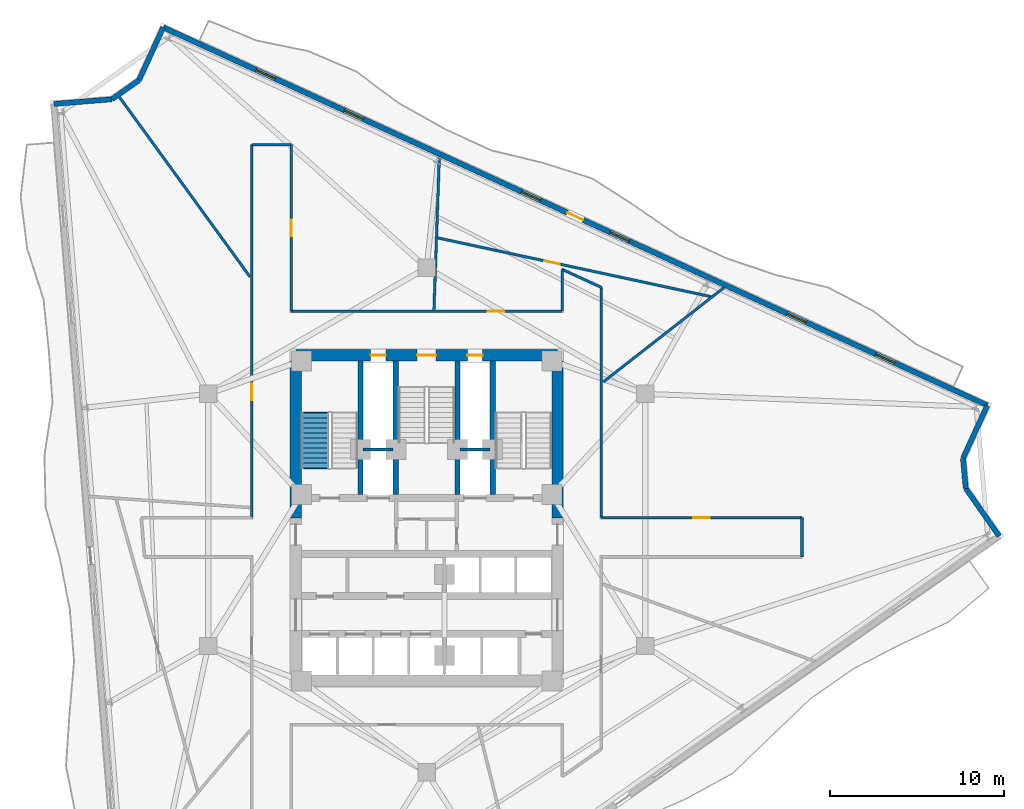
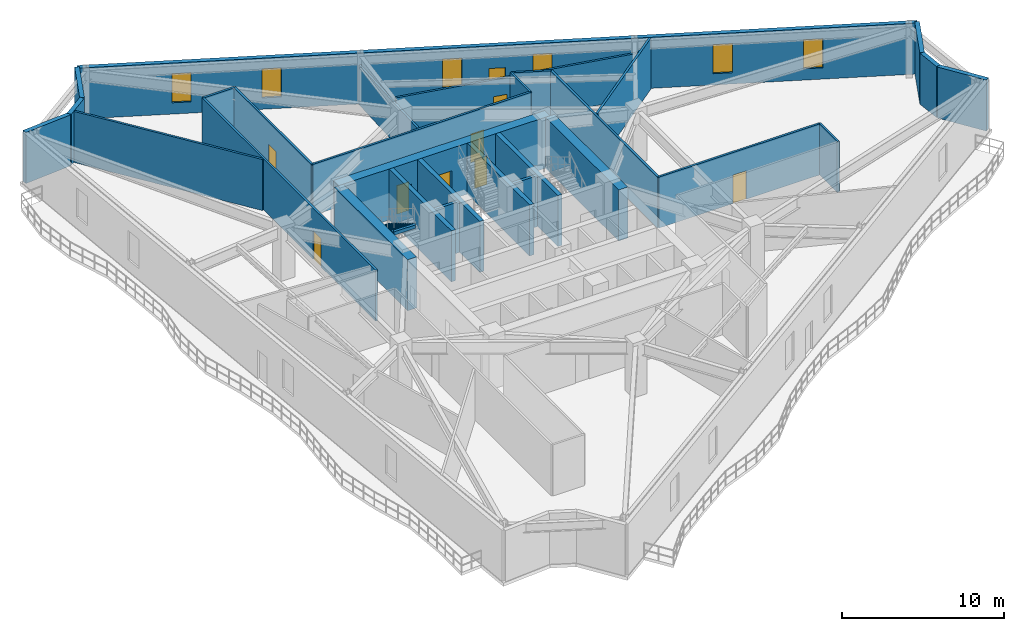
# One storey, part 6 of 11: 29 walls, 9 doors, 6 windows, 1 stair flight, 15 openings, 1 element without a shape of its own.
"""IFC4 building model written with IfcOpenShell, lengths in metres."""

from ifc_helpers import new_model, si_unit, direction, frame, frame_2d, origin, place, context, subcontext, project, spatial, polyline, rectangle, outline, extrude, material, layer, layer_set, type_object, element, fill, aggregate, save


model = new_model("IFC4")

# Units and contexts
model_context = context("Model", 3, precision=1e-05, world=origin(), true_north=direction((0.0, 1.0)))
body_context = subcontext(model_context, "Body", "Model", "MODEL_VIEW")
ifc_project = project(units=[si_unit("LENGTHUNIT", "METRE"), si_unit("AREAUNIT", "SQUARE_METRE"), si_unit("VOLUMEUNIT", "CUBIC_METRE"), si_unit("PLANEANGLEUNIT", "RADIAN"), si_unit("MASSUNIT", "GRAM", prefix="KILO")], contexts=[model_context])

# Site, building, storey
site_placement = place(None, origin())
site = spatial("IfcSite", under=ifc_project, at=site_placement, CompositionType="ELEMENT")
building_placement = place(site_placement, origin())
building = spatial("IfcBuilding", under=site, at=building_placement, Name="Apsidion Concourse Tower", CompositionType="ELEMENT")
storey_placement = place(building_placement, frame((0.0, 0.0, 206.5)))
storey = spatial("IfcBuildingStorey", under=building, at=storey_placement, Name="L48", CompositionType="ELEMENT", Elevation=206.5)

# Wall, openings, door, windows
ifc_material_1 = material(Name="Precast concrete C40/50", Category="concrete")
ifc_layer_1 = layer(ifc_material_1, 0.300048828125)
ifc_layer_set_1 = layer_set([ifc_layer_1], Name="Precast concrete C40/50")
wall_type_1 = type_object("IfcWallType", Name="WL-EXT-300", PredefinedType="STANDARD", material=ifc_layer_set_1)
wall_1_placement = place(storey_placement, frame((-15.1435546875, 28.32177734375, 0.0), z_axis=(0.0, 0.0, 1.0), x_axis=(0.908932099953, -0.416944166136, 0.0)))
wall_1 = element("IfcWall", 1, at=wall_1_placement, inside=storey, type_object=wall_type_1, Name="L48 Precast Stone Facade Wall 01", PredefinedType="STANDARD", context=body_context, shape_type="SweptSolid", body=[
    extrude(rectangle(XDim=52.127685546875, YDim=0.300048828125, at=frame_2d((26.06396484375, 0.0))), origin(), (0.0, 0.0, 1.0), 3.85009765625),
])
opening_1_placement = place(wall_1_placement, frame((25.56396484375, 0.0, 0.0)))
opening_1 = element("IfcOpeningElement", 2, at=opening_1_placement, cuts=wall_1, Name="Opening D-T1L", PredefinedType="OPENING", context=body_context, shape_type="SweptSolid", body=[
    extrude(rectangle(XDim=1.0, YDim=2.14990234375, at=frame_2d((0.5, 1.074951171875))), frame((0.0, 0.16015625, 0.0), z_axis=(0.0, -1.0, 0.0), x_axis=(1.0, 0.0, 0.0)), (0.0, 0.0, 1.0), 0.320068359375),
])
opening_2_placement = place(wall_1_placement, frame((5.864013671875, 0.0, 0.85009765625)))
opening_2 = element("IfcOpeningElement", 3, at=opening_2_placement, cuts=wall_1, Name="Opening WN-06", PredefinedType="OPENING", context=body_context, shape_type="SweptSolid", body=[
    extrude(rectangle(XDim=1.199951171875, YDim=2.199951171875, at=frame_2d((0.60009765625, 1.10009765625))), frame((0.0, 0.16015625, 0.0), z_axis=(0.0, -1.0, 0.0), x_axis=(1.0, 0.0, 0.0)), (0.0, 0.0, 1.0), 0.320068359375),
])
opening_3_placement = place(wall_1_placement, frame((11.4638671875, 0.0, 0.85009765625)))
opening_3 = element("IfcOpeningElement", 4, at=opening_3_placement, cuts=wall_1, Name="Opening WN-06", PredefinedType="OPENING", context=body_context, shape_type="SweptSolid", body=[
    extrude(rectangle(XDim=1.199951171875, YDim=2.199951171875, at=frame_2d((0.60009765625, 1.10009765625))), frame((0.0, 0.16015625, 0.0), z_axis=(0.0, -1.0, 0.0), x_axis=(1.0, 0.0, 0.0)), (0.0, 0.0, 1.0), 0.320068359375),
])
opening_4_placement = place(wall_1_placement, frame((22.663818359375, 0.0, 0.85009765625)))
opening_4 = element("IfcOpeningElement", 5, at=opening_4_placement, cuts=wall_1, Name="Opening WN-06", PredefinedType="OPENING", context=body_context, shape_type="SweptSolid", body=[
    extrude(rectangle(XDim=1.199951171875, YDim=2.199951171875, at=frame_2d((0.60009765625, 1.10009765625))), frame((0.0, 0.16015625, 0.0), z_axis=(0.0, -1.0, 0.0), x_axis=(1.0, 0.0, 0.0)), (0.0, 0.0, 1.0), 0.320068359375),
])
opening_5_placement = place(wall_1_placement, frame((28.263916015625, 0.0, 0.85009765625)))
opening_5 = element("IfcOpeningElement", 6, at=opening_5_placement, cuts=wall_1, Name="Opening WN-06", PredefinedType="OPENING", context=body_context, shape_type="SweptSolid", body=[
    extrude(rectangle(XDim=1.199951171875, YDim=2.199951171875, at=frame_2d((0.60009765625, 1.10009765625))), frame((0.0, 0.16015625, 0.0), z_axis=(0.0, -1.0, 0.0), x_axis=(1.0, 0.0, 0.0)), (0.0, 0.0, 1.0), 0.320068359375),
])
opening_6_placement = place(wall_1_placement, frame((39.4638671875, 0.0, 0.85009765625)))
opening_6 = element("IfcOpeningElement", 7, at=opening_6_placement, cuts=wall_1, Name="Opening WN-06", PredefinedType="OPENING", context=body_context, shape_type="SweptSolid", body=[
    extrude(rectangle(XDim=1.199951171875, YDim=2.199951171875, at=frame_2d((0.60009765625, 1.10009765625))), frame((0.0, 0.16015625, 0.0), z_axis=(0.0, -1.0, 0.0), x_axis=(1.0, 0.0, 0.0)), (0.0, 0.0, 1.0), 0.320068359375),
])
opening_7_placement = place(wall_1_placement, frame((45.06396484375, 0.0, 0.85009765625)))
opening_7 = element("IfcOpeningElement", 8, at=opening_7_placement, cuts=wall_1, Name="Opening WN-06", PredefinedType="OPENING", context=body_context, shape_type="SweptSolid", body=[
    extrude(rectangle(XDim=1.199951171875, YDim=2.199951171875, at=frame_2d((0.60009765625, 1.10009765625))), frame((0.0, 0.16015625, 0.0), z_axis=(0.0, -1.0, 0.0), x_axis=(1.0, 0.0, 0.0)), (0.0, 0.0, 1.0), 0.320068359375),
])
ifc_material_2 = material(Name="Anodised aluminium EN AW-6063 T6", Category="aluminium")
door_type_1 = type_object("IfcDoorType", Name="DR-TER-1022L", OperationType="SINGLE_SWING_LEFT", PredefinedType="DOOR", material=ifc_material_2)
door_1_placement = place(opening_1_placement, origin())
door_1 = element("IfcDoor", 9, at=door_1_placement, inside=storey, type_object=door_type_1, Name="L48 Balcony Access Door 3", OperationType="SINGLE_SWING_LEFT", OverallHeight=2.14990234375, OverallWidth=1.0, PredefinedType="DOOR", context=body_context, shape_type="SweptSolid", body=[
    extrude(rectangle(XDim=1.0, YDim=2.14990234375, at=frame_2d((0.5, 1.074951171875))), frame((0.0, 0.02490234375, 0.0), z_axis=(0.0, -1.0, 0.0), x_axis=(1.0, 0.0, 0.0)), (0.0, 0.0, 1.0), 0.050048828125),
])
fill(opening_1, door_1)
ifc_material_3 = material(Name="Insulated laminated low-E glass", Category="glass")
window_type = type_object("IfcWindowType", Name="WN-OFF-1224", PartitioningType="SINGLE_PANEL", PredefinedType="WINDOW", material=ifc_material_3)
window_1_placement = place(opening_2_placement, origin())
window_1 = element("IfcWindow", 10, at=window_1_placement, inside=storey, type_object=window_type, Name="L48 Punched Facade Window 1-01", OverallHeight=2.199951171875, OverallWidth=1.199951171875, PartitioningType="SINGLE_PANEL", PredefinedType="WINDOW", context=body_context, shape_type="SweptSolid", body=[
    extrude(rectangle(XDim=1.199951171875, YDim=2.199951171875, at=frame_2d((0.60009765625, 1.10009765625))), frame((0.0, 0.030029296875, 0.0), z_axis=(0.0, -1.0, 0.0), x_axis=(1.0, 0.0, 0.0)), (0.0, 0.0, 1.0), 0.06005859375),
])
fill(opening_2, window_1)
window_2_placement = place(opening_3_placement, origin())
window_2 = element("IfcWindow", 11, at=window_2_placement, inside=storey, type_object=window_type, Name="L48 Punched Facade Window 1-02", OverallHeight=2.199951171875, OverallWidth=1.199951171875, PartitioningType="SINGLE_PANEL", PredefinedType="WINDOW", context=body_context, shape_type="SweptSolid", body=[
    extrude(rectangle(XDim=1.199951171875, YDim=2.199951171875, at=frame_2d((0.60009765625, 1.10009765625))), frame((0.0, 0.030029296875, 0.0), z_axis=(0.0, -1.0, 0.0), x_axis=(1.0, 0.0, 0.0)), (0.0, 0.0, 1.0), 0.06005859375),
])
fill(opening_3, window_2)
window_3_placement = place(opening_4_placement, origin())
window_3 = element("IfcWindow", 12, at=window_3_placement, inside=storey, type_object=window_type, Name="L48 Punched Facade Window 1-04", OverallHeight=2.199951171875, OverallWidth=1.199951171875, PartitioningType="SINGLE_PANEL", PredefinedType="WINDOW", context=body_context, shape_type="SweptSolid", body=[
    extrude(rectangle(XDim=1.199951171875, YDim=2.199951171875, at=frame_2d((0.60009765625, 1.10009765625))), frame((0.0, 0.030029296875, 0.0), z_axis=(0.0, -1.0, 0.0), x_axis=(1.0, 0.0, 0.0)), (0.0, 0.0, 1.0), 0.06005859375),
])
fill(opening_4, window_3)
window_4_placement = place(opening_5_placement, origin())
window_4 = element("IfcWindow", 13, at=window_4_placement, inside=storey, type_object=window_type, Name="L48 Punched Facade Window 1-05", OverallHeight=2.199951171875, OverallWidth=1.199951171875, PartitioningType="SINGLE_PANEL", PredefinedType="WINDOW", context=body_context, shape_type="SweptSolid", body=[
    extrude(rectangle(XDim=1.199951171875, YDim=2.199951171875, at=frame_2d((0.60009765625, 1.10009765625))), frame((0.0, 0.030029296875, 0.0), z_axis=(0.0, -1.0, 0.0), x_axis=(1.0, 0.0, 0.0)), (0.0, 0.0, 1.0), 0.06005859375),
])
fill(opening_5, window_4)
window_5_placement = place(opening_6_placement, origin())
window_5 = element("IfcWindow", 14, at=window_5_placement, inside=storey, type_object=window_type, Name="L48 Punched Facade Window 1-07", OverallHeight=2.199951171875, OverallWidth=1.199951171875, PartitioningType="SINGLE_PANEL", PredefinedType="WINDOW", context=body_context, shape_type="SweptSolid", body=[
    extrude(rectangle(XDim=1.199951171875, YDim=2.199951171875, at=frame_2d((0.60009765625, 1.10009765625))), frame((0.0, 0.030029296875, 0.0), z_axis=(0.0, -1.0, 0.0), x_axis=(1.0, 0.0, 0.0)), (0.0, 0.0, 1.0), 0.06005859375),
])
fill(opening_6, window_5)
window_6_placement = place(opening_7_placement, origin())
window_6 = element("IfcWindow", 15, at=window_6_placement, inside=storey, type_object=window_type, Name="L48 Punched Facade Window 1-08", OverallHeight=2.199951171875, OverallWidth=1.199951171875, PartitioningType="SINGLE_PANEL", PredefinedType="WINDOW", context=body_context, shape_type="SweptSolid", body=[
    extrude(rectangle(XDim=1.199951171875, YDim=2.199951171875, at=frame_2d((0.60009765625, 1.10009765625))), frame((0.0, 0.030029296875, 0.0), z_axis=(0.0, -1.0, 0.0), x_axis=(1.0, 0.0, 0.0)), (0.0, 0.0, 1.0), 0.06005859375),
])
fill(opening_7, window_6)

# Walls
wall_2_placement = place(storey_placement, frame((32.237060546875, 6.58740234375, 0.0), z_axis=(0.0, 0.0, 1.0), x_axis=(-0.416956203263, -0.908926578201, 0.0)))
element("IfcWall", 16, at=wall_2_placement, inside=storey, type_object=wall_type_1, Name="L48 Precast Stone Facade Wall 02", PredefinedType="STANDARD", context=body_context, shape_type="SweptSolid", body=[
    extrude(rectangle(XDim=3.345703125, YDim=0.300048828125, at=frame_2d((1.6728515625, 0.0))), origin(), (0.0, 0.0, 1.0), 3.85009765625),
])
wall_3_placement = place(storey_placement, frame((30.842041015625, 3.54638671875, 0.0), z_axis=(0.0, 0.0, 1.0), x_axis=(0.09030850916, -0.995913838228, 0.0)))
element("IfcWall", 17, at=wall_3_placement, inside=storey, type_object=wall_type_1, Name="L48 Precast Stone Facade Wall 03", PredefinedType="STANDARD", context=body_context, shape_type="SweptSolid", body=[
    extrude(rectangle(XDim=1.74365234375, YDim=0.300048828125, at=frame_2d((0.871826171875, 0.0))), origin(), (0.0, 0.0, 1.0), 3.85009765625),
])
wall_4_placement = place(storey_placement, frame((30.99951171875, 1.809814453125, 0.0), z_axis=(0.0, 0.0, 1.0), x_axis=(0.573550493689, -0.819170208925, 0.0)))
element("IfcWall", 18, at=wall_4_placement, inside=storey, type_object=wall_type_1, Name="L48 Precast Stone Facade Wall 04", PredefinedType="STANDARD", context=body_context, shape_type="SweptSolid", body=[
    extrude(rectangle(XDim=3.345703125, YDim=0.300048828125, at=frame_2d((1.6728515625, 0.0))), origin(), (0.0, 0.0, 1.0), 3.85009765625),
])
wall_5_placement = place(storey_placement, frame((-21.4345703125, 23.9169921875, 0.0), z_axis=(0.0, 0.0, 1.0), x_axis=(0.99672253381, 0.080896171692, 0.0)))
element("IfcWall", 19, at=wall_5_placement, inside=storey, type_object=wall_type_1, Name="L48 Precast Stone Facade Wall 10", PredefinedType="STANDARD", context=body_context, shape_type="SweptSolid", body=[
    extrude(rectangle(XDim=3.346923828125, YDim=0.300048828125, at=frame_2d((1.67333984375, 0.0))), origin(), (0.0, 0.0, 1.0), 3.85009765625),
])
wall_6_placement = place(storey_placement, frame((-18.0986328125, 24.187744140625, 0.0), z_axis=(0.0, 0.0, 1.0), x_axis=(0.819147570989, 0.573582824833, 0.0)))
element("IfcWall", 20, at=wall_6_placement, inside=storey, type_object=wall_type_1, Name="L48 Precast Stone Facade Wall 11", PredefinedType="STANDARD", context=body_context, shape_type="SweptSolid", body=[
    extrude(rectangle(XDim=1.90380859375, YDim=0.300048828125, at=frame_2d((0.951904296875, 0.0))), origin(), (0.0, 0.0, 1.0), 3.85009765625),
])
wall_7_placement = place(storey_placement, frame((-16.5390625, 25.27978515625, 0.0), z_axis=(0.0, 0.0, 1.0), x_axis=(0.416966150663, 0.908922014917, 0.0)))
element("IfcWall", 21, at=wall_7_placement, inside=storey, type_object=wall_type_1, Name="L48 Precast Stone Facade Wall 12", PredefinedType="STANDARD", context=body_context, shape_type="SweptSolid", body=[
    extrude(rectangle(XDim=3.346923828125, YDim=0.300048828125, at=frame_2d((1.67333984375, 0.0))), origin(), (0.0, 0.0, 1.0), 3.85009765625),
])

# Wall, opening, door
ifc_material_4 = material(Name="Gypsum plasterboard partition")
ifc_layer_2 = layer(ifc_material_4, 0.14990234375)
ifc_layer_set_2 = layer_set([ifc_layer_2], Name="Gypsum plasterboard partition")
wall_type_2 = type_object("IfcWallType", Name="WL-INT-PAR-150", PredefinedType="PARTITIONING", material=ifc_layer_set_2)
wall_8_placement = place(storey_placement, frame((-10.050048828125, 0.1298828125, 0.0), z_axis=(0.0, 0.0, 1.0), x_axis=(0.0, 1.0, 0.0)))
wall_8 = element("IfcWall", 22, at=wall_8_placement, inside=storey, type_object=wall_type_2, Name="L48 Interior Partition WL-L48-CORR-10", PredefinedType="PARTITIONING", context=body_context, shape_type="SweptSolid", body=[
    extrude(rectangle(XDim=21.4501953125, YDim=0.14990234375, at=frame_2d((10.72509765625, 0.0))), origin(), (0.0, 0.0, 1.0), 3.85009765625),
])
opening_8_placement = place(wall_8_placement, frame((6.76220703125, 0.0, 0.0)))
opening_8 = element("IfcOpeningElement", 23, at=opening_8_placement, cuts=wall_8, Name="Opening D-01L", PredefinedType="OPENING", context=body_context, shape_type="SweptSolid", body=[
    extrude(rectangle(XDim=0.949951171875, YDim=2.14990234375, at=frame_2d((0.47509765625, 1.074951171875))), frame((0.0, 0.0849609375, 0.0), z_axis=(0.0, -1.0, 0.0), x_axis=(1.0, 0.0, 0.0)), (0.0, 0.0, 1.0), 0.169921875),
])
ifc_material_5 = material(Name="Brushed stainless steel 316", Category="steel")
door_type_2 = type_object("IfcDoorType", Name="DR-INT-D01L", OperationType="SINGLE_SWING_LEFT", PredefinedType="DOOR", material=ifc_material_5)
door_2_placement = place(opening_8_placement, origin())
door_2 = element("IfcDoor", 24, at=door_2_placement, inside=storey, type_object=door_type_2, Name="L48 Corridor Entry Door 07", OperationType="SINGLE_SWING_LEFT", OverallHeight=2.14990234375, OverallWidth=0.949951171875, PredefinedType="DOOR", context=body_context, shape_type="SweptSolid", body=[
    extrude(rectangle(XDim=0.949951171875, YDim=2.14990234375, at=frame_2d((0.47509765625, 1.074951171875))), frame((0.0, 0.02490234375, 0.0), z_axis=(0.0, -1.0, 0.0), x_axis=(1.0, 0.0, 0.0)), (0.0, 0.0, 1.0), 0.050048828125),
])
fill(opening_8, door_2)

# Wall
wall_9_placement = place(storey_placement, frame((-10.050048828125, 21.580078125, 0.0), z_axis=(0.0, 0.0, 1.0), x_axis=(1.0, 0.0, 0.0)))
element("IfcWall", 25, at=wall_9_placement, inside=storey, type_object=wall_type_2, Name="L48 Interior Partition WL-L48-CORR-11", PredefinedType="PARTITIONING", context=body_context, shape_type="SweptSolid", body=[
    extrude(rectangle(XDim=2.260009765625, YDim=0.14990234375, at=frame_2d((1.1298828125, 0.0))), origin(), (0.0, 0.0, 1.0), 3.85009765625),
])

# Wall, opening, door
wall_10_placement = place(storey_placement, frame((-7.7900390625, 21.580078125, 0.0), z_axis=(0.0, 0.0, 1.0), x_axis=(0.0, -1.0, 0.0)))
wall_10 = element("IfcWall", 26, at=wall_10_placement, inside=storey, type_object=wall_type_2, Name="L48 Interior Partition WL-L48-CORR-12", PredefinedType="PARTITIONING", context=body_context, shape_type="SweptSolid", body=[
    extrude(rectangle(XDim=9.580078125, YDim=0.14990234375, at=frame_2d((4.7900390625, 0.0))), origin(), (0.0, 0.0, 1.0), 3.85009765625),
])
opening_9_placement = place(wall_10_placement, frame((4.31494140625, 0.0, 0.0)))
opening_9 = element("IfcOpeningElement", 27, at=opening_9_placement, cuts=wall_10, Name="Opening D-01R", PredefinedType="OPENING", context=body_context, shape_type="SweptSolid", body=[
    extrude(rectangle(XDim=0.949951171875, YDim=2.14990234375, at=frame_2d((0.47509765625, 1.074951171875))), frame((0.0, 0.0849609375, 0.0), z_axis=(0.0, -1.0, 0.0), x_axis=(1.0, 0.0, 0.0)), (0.0, 0.0, 1.0), 0.169921875),
])
door_type_3 = type_object("IfcDoorType", Name="DR-INT-D01R", OperationType="SINGLE_SWING_RIGHT", PredefinedType="DOOR", material=ifc_material_5)
door_3_placement = place(opening_9_placement, origin())
door_3 = element("IfcDoor", 28, at=door_3_placement, inside=storey, type_object=door_type_3, Name="L48 Corridor Entry Door 06", OperationType="SINGLE_SWING_RIGHT", OverallHeight=2.14990234375, OverallWidth=0.949951171875, PredefinedType="DOOR", context=body_context, shape_type="SweptSolid", body=[
    extrude(rectangle(XDim=0.949951171875, YDim=2.14990234375, at=frame_2d((0.47509765625, 1.074951171875))), frame((0.0, 0.02490234375, 0.0), z_axis=(0.0, -1.0, 0.0), x_axis=(1.0, 0.0, 0.0)), (0.0, 0.0, 1.0), 0.050048828125),
])
fill(opening_9, door_3)

wall_11_placement = place(storey_placement, frame((-7.7900390625, 12.0, 0.0), z_axis=(0.0, 0.0, 1.0), x_axis=(1.0, 0.0, 0.0)))
wall_11 = element("IfcWall", 29, at=wall_11_placement, inside=storey, type_object=wall_type_2, Name="L48 Interior Partition WL-L48-CORR-13", PredefinedType="PARTITIONING", context=body_context, shape_type="SweptSolid", body=[
    extrude(rectangle(XDim=15.580078125, YDim=0.14990234375, at=frame_2d((7.7900390625, 0.0))), origin(), (0.0, 0.0, 1.0), 3.85009765625),
])
opening_10_placement = place(wall_11_placement, frame((11.29248046875, 0.0, 0.0)))
opening_10 = element("IfcOpeningElement", 30, at=opening_10_placement, cuts=wall_11, Name="Opening D-01L", PredefinedType="OPENING", context=body_context, shape_type="SweptSolid", body=[
    extrude(rectangle(XDim=0.949951171875, YDim=2.14990234375, at=frame_2d((0.47509765625, 1.074951171875))), frame((0.0, 0.0849609375, 0.0), z_axis=(0.0, -1.0, 0.0), x_axis=(1.0, 0.0, 0.0)), (0.0, 0.0, 1.0), 0.169921875),
])
door_4_placement = place(opening_10_placement, origin())
door_4 = element("IfcDoor", 31, at=door_4_placement, inside=storey, type_object=door_type_2, Name="L48 Corridor Entry Door 05", OperationType="SINGLE_SWING_LEFT", OverallHeight=2.14990234375, OverallWidth=0.949951171875, PredefinedType="DOOR", context=body_context, shape_type="SweptSolid", body=[
    extrude(rectangle(XDim=0.949951171875, YDim=2.14990234375, at=frame_2d((0.47509765625, 1.074951171875))), frame((0.0, 0.02490234375, 0.0), z_axis=(0.0, -1.0, 0.0), x_axis=(1.0, 0.0, 0.0)), (0.0, 0.0, 1.0), 0.050048828125),
])
fill(opening_10, door_4)

# Walls
wall_12_placement = place(storey_placement, frame((7.7900390625, 12.0, 0.0), z_axis=(0.0, 0.0, 1.0), x_axis=(0.0, 1.0, 0.0)))
element("IfcWall", 32, at=wall_12_placement, inside=storey, type_object=wall_type_2, Name="L48 Interior Partition WL-L48-CORR-14", PredefinedType="PARTITIONING", context=body_context, shape_type="SweptSolid", body=[
    extrude(rectangle(XDim=2.40771484375, YDim=0.14990234375, at=frame_2d((1.203857421875, 0.0))), origin(), (0.0, 0.0, 1.0), 3.85009765625),
])
wall_13_placement = place(storey_placement, frame((7.7900390625, 14.40771484375, 0.0), z_axis=(0.0, 0.0, 1.0), x_axis=(0.908908252736, -0.416996148792, 0.0)))
element("IfcWall", 33, at=wall_13_placement, inside=storey, type_object=wall_type_2, Name="L48 Interior Partition WL-L48-CORR-15", PredefinedType="PARTITIONING", context=body_context, shape_type="SweptSolid", body=[
    extrude(rectangle(XDim=2.486572265625, YDim=0.14990234375, at=frame_2d((1.2431640625, 0.0))), origin(), (0.0, 0.0, 1.0), 3.85009765625),
])
wall_14_placement = place(storey_placement, frame((10.050048828125, 13.370849609375, 0.0), z_axis=(0.0, 0.0, 1.0), x_axis=(0.0, -1.0, 0.0)))
element("IfcWall", 34, at=wall_14_placement, inside=storey, type_object=wall_type_2, Name="L48 Interior Partition WL-L48-CORR-16", PredefinedType="PARTITIONING", context=body_context, shape_type="SweptSolid", body=[
    extrude(rectangle(XDim=13.240966796875, YDim=0.14990234375, at=frame_2d((6.62060546875, 0.0))), origin(), (0.0, 0.0, 1.0), 3.85009765625),
])

# Wall, opening, door
wall_15_placement = place(storey_placement, frame((10.050048828125, 0.1298828125, 0.0), z_axis=(0.0, 0.0, 1.0), x_axis=(1.0, 0.0, 0.0)))
wall_15 = element("IfcWall", 35, at=wall_15_placement, inside=storey, type_object=wall_type_2, Name="L48 Interior Partition WL-L48-CORR-17", PredefinedType="PARTITIONING", context=body_context, shape_type="SweptSolid", body=[
    extrude(rectangle(XDim=11.530029296875, YDim=0.14990234375, at=frame_2d((5.76513671875, 0.0))), origin(), (0.0, 0.0, 1.0), 3.85009765625),
])
opening_11_placement = place(wall_15_placement, frame((5.2900390625, 0.0, 0.0)))
opening_11 = element("IfcOpeningElement", 36, at=opening_11_placement, cuts=wall_15, Name="Opening D-01R", PredefinedType="OPENING", context=body_context, shape_type="SweptSolid", body=[
    extrude(rectangle(XDim=0.949951171875, YDim=2.14990234375, at=frame_2d((0.47509765625, 1.074951171875))), frame((0.0, 0.0849609375, 0.0), z_axis=(0.0, -1.0, 0.0), x_axis=(1.0, 0.0, 0.0)), (0.0, 0.0, 1.0), 0.169921875),
])
door_5_placement = place(opening_11_placement, origin())
door_5 = element("IfcDoor", 37, at=door_5_placement, inside=storey, type_object=door_type_3, Name="L48 Corridor Entry Door 04", OperationType="SINGLE_SWING_RIGHT", OverallHeight=2.14990234375, OverallWidth=0.949951171875, PredefinedType="DOOR", context=body_context, shape_type="SweptSolid", body=[
    extrude(rectangle(XDim=0.949951171875, YDim=2.14990234375, at=frame_2d((0.47509765625, 1.074951171875))), frame((0.0, 0.02490234375, 0.0), z_axis=(0.0, -1.0, 0.0), x_axis=(1.0, 0.0, 0.0)), (0.0, 0.0, 1.0), 0.050048828125),
])
fill(opening_11, door_5)

# Walls
wall_16_placement = place(storey_placement, frame((21.580078125, 0.1298828125, 0.0), z_axis=(0.0, 0.0, 1.0), x_axis=(0.0, -1.0, 0.0)))
element("IfcWall", 38, at=wall_16_placement, inside=storey, type_object=wall_type_2, Name="L48 Interior Partition WL-L48-CORR-18", PredefinedType="PARTITIONING", context=body_context, shape_type="SweptSolid", body=[
    extrude(rectangle(XDim=2.259765625, YDim=0.14990234375, at=frame_2d((1.1298828125, 0.0))), origin(), (0.0, 0.0, 1.0), 3.85009765625),
])
wall_17_placement = place(storey_placement, frame((10.155029296875, 7.93408203125, 0.0), z_axis=(0.0, 0.0, 1.0), x_axis=(0.788009236084, 0.615663417661, 0.0)))
element("IfcWall", 39, at=wall_17_placement, inside=storey, type_object=wall_type_2, Name="L48 Interior Partition WL-L48-RAD-01-1", PredefinedType="PARTITIONING", context=body_context, shape_type="SweptSolid", body=[
    extrude(rectangle(XDim=8.802490234375, YDim=0.14990234375, at=frame_2d((4.4013671875, 0.0))), origin(), (0.0, 0.0, 1.0), 3.85009765625),
])
wall_18_placement = place(storey_placement, frame((0.422607421875, 12.10498046875, 0.0), z_axis=(0.0, 0.0, 1.0), x_axis=(0.034921100997, 0.999390072347, 0.0)))
element("IfcWall", 40, at=wall_18_placement, inside=storey, type_object=wall_type_2, Name="L48 Interior Partition WL-L48-RAD-02-1", PredefinedType="PARTITIONING", context=body_context, shape_type="SweptSolid", body=[
    extrude(rectangle(XDim=8.760009765625, YDim=0.14990234375, at=frame_2d((4.3798828125, 0.0))), origin(), (0.0, 0.0, 1.0), 2.970947265625),
])
wall_19_placement = place(storey_placement, frame((-10.155029296875, 13.977294921875, 0.0), z_axis=(0.0, 0.0, 1.0), x_axis=(-0.587787020545, 0.809015709661, 0.0)))
element("IfcWall", 41, at=wall_19_placement, inside=storey, type_object=wall_type_2, Name="L48 Interior Partition WL-L48-RAD-03-1", PredefinedType="PARTITIONING", context=body_context, shape_type="SweptSolid", body=[
    extrude(rectangle(XDim=12.75732421875, YDim=0.14990234375, at=frame_2d((6.378662109375, 0.0))), origin(), (0.0, 0.0, 1.0), 3.85009765625),
])

# Wall, opening, door
wall_20_placement = place(storey_placement, frame((16.38232421875, 12.8310546875, 0.0), z_axis=(0.0, 0.0, 1.0), x_axis=(-0.977652186516, 0.210228928076, 0.0)))
wall_20 = element("IfcWall", 42, at=wall_20_placement, inside=storey, type_object=wall_type_2, Name="L48 Interior Partition WL-L48-CHD-OFS04", PredefinedType="PARTITIONING", context=body_context, shape_type="SweptSolid", body=[
    extrude(rectangle(XDim=16.1513671875, YDim=0.14990234375, at=frame_2d((8.07568359375, 0.0))), origin(), (0.0, 0.0, 1.0), 3.373046875),
])
opening_12_placement = place(wall_20_placement, frame((8.92578125, 0.0, 0.0)))
opening_12 = element("IfcOpeningElement", 43, at=opening_12_placement, cuts=wall_20, Name="Opening D-02L", PredefinedType="OPENING", context=body_context, shape_type="SweptSolid", body=[
    extrude(rectangle(XDim=0.89990234375, YDim=2.10009765625, at=frame_2d((0.449951171875, 1.050048828125))), frame((0.0, 0.0849609375, 0.0), z_axis=(0.0, -1.0, 0.0), x_axis=(1.0, 0.0, 0.0)), (0.0, 0.0, 1.0), 0.169921875),
])
door_type_4 = type_object("IfcDoorType", Name="DR-INT-D02L", OperationType="SINGLE_SWING_LEFT", PredefinedType="DOOR", material=ifc_material_2)
door_6_placement = place(opening_12_placement, origin())
door_6 = element("IfcDoor", 44, at=door_6_placement, inside=storey, type_object=door_type_4, Name="L48 Suite Connecting Door OFS04", OperationType="SINGLE_SWING_LEFT", OverallHeight=2.10009765625, OverallWidth=0.89990234375, PredefinedType="DOOR", context=body_context, shape_type="SweptSolid", body=[
    extrude(rectangle(XDim=0.89990234375, YDim=2.10009765625, at=frame_2d((0.449951171875, 1.050048828125))), frame((0.0, 0.02490234375, 0.0), z_axis=(0.0, -1.0, 0.0), x_axis=(1.0, 0.0, 0.0)), (0.0, 0.0, 1.0), 0.050048828125),
])
fill(opening_12, door_6)

# Walls
ifc_layer_3 = layer(ifc_material_4, 0.199951171875)
ifc_layer_set_3 = layer_set([ifc_layer_3], Name="Gypsum plasterboard partition")
wall_type_3 = type_object("IfcWallType", Name="WL-INT-PAR-200", PredefinedType="PARTITIONING", material=ifc_layer_set_3)
for number, where, z_axis, x_axis, name in (
    (45, (-3.64990234375, 4.050048828125, 0.0), (0.0, 0.0, 1.0), (1.0, 0.0, 0.0), "L48 Interior Partition WL-L48-FF1-N"),
    (46, (1.919921875, 4.050048828125, 0.0), (0.0, 0.0, 1.0), (1.0, 0.0, 0.0), "L48 Interior Partition WL-L48-FF2-N"),
):
    element("IfcWall", number, at=place(storey_placement, frame(where, z_axis=z_axis, x_axis=x_axis)), inside=storey, type_object=wall_type_3, Name=name, PredefinedType="PARTITIONING", context=body_context, shape_type="SweptSolid", body=[
        extrude(rectangle(XDim=1.72998046875, YDim=0.199951171875, at=frame_2d((0.864990234375, 0.0))), origin(), (0.0, 0.0, 1.0), 3.85009765625),
    ])
ifc_material_6 = material(Name="Concrete C50/60", Category="concrete")
ifc_layer_4 = layer(ifc_material_6, 0.300048828125)
ifc_layer_set_4 = layer_set([ifc_layer_4], Name="Concrete C50/60")
wall_type_4 = type_object("IfcWallType", Name="WL-SH-300", PredefinedType="SHEAR", material=ifc_layer_set_4)
for number, where, z_axis, x_axis, name in (
    (47, (-3.800048828125, 1.449951171875, 0.0), (0.0, 0.0, 1.0), (0.0, 1.0, 0.0), "L48 Central Core Shear Wall V1"),
    (48, (-1.77490234375, 1.449951171875, 0.0), (0.0, 0.0, 1.0), (0.0, 1.0, 0.0), "L48 Central Core Shear Wall V2"),
    (49, (1.77490234375, 1.449951171875, 0.0), (0.0, 0.0, 1.0), (0.0, 1.0, 0.0), "L48 Central Core Shear Wall V3"),
    (50, (3.800048828125, 1.449951171875, 0.0), (0.0, 0.0, 1.0), (0.0, 1.0, 0.0), "L48 Central Core Shear Wall V4"),
):
    element("IfcWall", number, at=place(storey_placement, frame(where, z_axis=z_axis, x_axis=x_axis)), inside=storey, type_object=wall_type_4, Name=name, PredefinedType="SHEAR", context=body_context, shape_type="SweptSolid", body=[
        extrude(rectangle(XDim=7.699951171875, YDim=0.300048828125, at=frame_2d((3.85009765625, 0.0))), origin(), (0.0, 0.0, 1.0), 3.85009765625),
    ])

# Wall, openings, doors
ifc_layer_5 = layer(ifc_material_6, 0.64990234375)
ifc_layer_set_5 = layer_set([ifc_layer_5], Name="Concrete C50/60")
wall_type_5 = type_object("IfcWallType", Name="WL-SH-650", PredefinedType="SHEAR", material=ifc_layer_set_5)
wall_21_placement = place(storey_placement, frame((-7.52490234375, 9.47509765625, 0.0), z_axis=(0.0, 0.0, 1.0), x_axis=(1.0, 0.0, 0.0)))
wall_21 = element("IfcWall", 51, at=wall_21_placement, inside=storey, type_object=wall_type_5, Name="L48 Central Core Shear Wall N", PredefinedType="SHEAR", context=body_context, shape_type="SweptSolid", body=[
    extrude(rectangle(XDim=15.0498046875, YDim=0.64990234375, at=frame_2d((7.52490234375, 0.0))), origin(), (0.0, 0.0, 1.0), 3.85009765625),
])
opening_13_placement = place(wall_21_placement, frame((6.97509765625, 0.0, 0.0)))
opening_13 = element("IfcOpeningElement", 52, at=opening_13_placement, cuts=wall_21, Name="Opening D-STL", PredefinedType="OPENING", context=body_context, shape_type="SweptSolid", body=[
    extrude(rectangle(XDim=1.10009765625, YDim=2.14990234375, at=frame_2d((0.550048828125, 1.074951171875))), frame((0.0, 0.3349609375, 0.0), z_axis=(0.0, -1.0, 0.0), x_axis=(1.0, 0.0, 0.0)), (0.0, 0.0, 1.0), 0.669921875),
])
opening_14_placement = place(wall_21_placement, frame((4.304931640625, 0.0, 0.0)))
opening_14 = element("IfcOpeningElement", 53, at=opening_14_placement, cuts=wall_21, Name="Opening D-05L", PredefinedType="OPENING", context=body_context, shape_type="SweptSolid", body=[
    extrude(rectangle(XDim=0.8798828125, YDim=2.14990234375, at=frame_2d((0.43994140625, 1.074951171875))), frame((0.0, 0.3349609375, 0.0), z_axis=(0.0, -1.0, 0.0), x_axis=(1.0, 0.0, 0.0)), (0.0, 0.0, 1.0), 0.669921875),
])
opening_15_placement = place(wall_21_placement, frame((9.864990234375, 0.0, 0.0)))
opening_15 = element("IfcOpeningElement", 54, at=opening_15_placement, cuts=wall_21, Name="Opening D-05R", PredefinedType="OPENING", context=body_context, shape_type="SweptSolid", body=[
    extrude(rectangle(XDim=0.8798828125, YDim=2.14990234375, at=frame_2d((0.43994140625, 1.074951171875))), frame((0.0, 0.3349609375, 0.0), z_axis=(0.0, -1.0, 0.0), x_axis=(1.0, 0.0, 0.0)), (0.0, 0.0, 1.0), 0.669921875),
])
door_type_5 = type_object("IfcDoorType", Name="DR-INT-D05L", OperationType="SINGLE_SWING_LEFT", PredefinedType="DOOR", material=ifc_material_5)
door_7_placement = place(opening_14_placement, origin())
door_7 = element("IfcDoor", 55, at=door_7_placement, inside=storey, type_object=door_type_5, Name="L48 Electrical Riser Shaft Access Door", OperationType="SINGLE_SWING_LEFT", OverallHeight=2.14990234375, OverallWidth=0.8798828125, PredefinedType="DOOR", context=body_context, shape_type="SweptSolid", body=[
    extrude(rectangle(XDim=0.8798828125, YDim=2.14990234375, at=frame_2d((0.43994140625, 1.074951171875))), frame((0.0, 0.02490234375, 0.0), z_axis=(0.0, -1.0, 0.0), x_axis=(1.0, 0.0, 0.0)), (0.0, 0.0, 1.0), 0.050048828125),
])
fill(opening_14, door_7)
door_type_6 = type_object("IfcDoorType", Name="DR-INT-D05R", OperationType="SINGLE_SWING_RIGHT", PredefinedType="DOOR", material=ifc_material_5)
door_8_placement = place(opening_15_placement, origin())
door_8 = element("IfcDoor", 56, at=door_8_placement, inside=storey, type_object=door_type_6, Name="L48 Mechanical Riser Shaft Access Door", OperationType="SINGLE_SWING_RIGHT", OverallHeight=2.14990234375, OverallWidth=0.8798828125, PredefinedType="DOOR", context=body_context, shape_type="SweptSolid", body=[
    extrude(rectangle(XDim=0.8798828125, YDim=2.14990234375, at=frame_2d((0.43994140625, 1.074951171875))), frame((0.0, 0.02490234375, 0.0), z_axis=(0.0, -1.0, 0.0), x_axis=(1.0, 0.0, 0.0)), (0.0, 0.0, 1.0), 0.050048828125),
])
fill(opening_15, door_8)
door_type_7 = type_object("IfcDoorType", Name="DR-INT-ST1L", OperationType="SINGLE_SWING_LEFT", PredefinedType="DOOR", material=ifc_material_5)
door_9_placement = place(opening_13_placement, origin())
door_9 = element("IfcDoor", 57, at=door_9_placement, inside=storey, type_object=door_type_7, Name="L48 Core Exit Stair ST3 Door", OperationType="SINGLE_SWING_LEFT", OverallHeight=2.14990234375, OverallWidth=1.10009765625, PredefinedType="DOOR", context=body_context, shape_type="SweptSolid", body=[
    extrude(rectangle(XDim=1.10009765625, YDim=2.14990234375, at=frame_2d((0.550048828125, 1.074951171875))), frame((0.0, 0.02490234375, 0.0), z_axis=(0.0, -1.0, 0.0), x_axis=(1.0, 0.0, 0.0)), (0.0, 0.0, 1.0), 0.050048828125),
])
fill(opening_13, door_9)

# Walls
for number, where, z_axis, x_axis, name in (
    (58, (-7.52490234375, 0.10009765625, 0.0), (0.0, 0.0, 1.0), (0.0, 1.0, 0.0), "L48 Central Core Shear Wall WN"),
    (59, (7.52490234375, 0.10009765625, 0.0), (0.0, 0.0, 1.0), (0.0, 1.0, 0.0), "L48 Central Core Shear Wall EN"),
):
    element("IfcWall", number, at=place(storey_placement, frame(where, z_axis=z_axis, x_axis=x_axis)), inside=storey, type_object=wall_type_5, Name=name, PredefinedType="SHEAR", context=body_context, shape_type="SweptSolid", body=[
        extrude(rectangle(XDim=9.0498046875, YDim=0.64990234375, at=frame_2d((4.52490234375, 0.0))), origin(), (0.0, 0.0, 1.0), 3.85009765625),
    ])

# Stair, stair flight
stair_type = type_object("IfcStairType", Name="ST-DL-1550", PredefinedType="HALF_TURN_STAIR", material=ifc_material_1)
stair_placement = place(storey_placement, origin())
stair = element("IfcStair", 60, at=stair_placement, inside=storey, type_object=stair_type, Name="L48 Protected Core Exit Stair ST1", PredefinedType="HALF_TURN_STAIR")
stair_flight_type = type_object("IfcStairFlightType", Name="SFL-RC-1550", PredefinedType="STRAIGHT", material=ifc_material_1)
stair_flight_placement = place(storey_placement, frame((-6.425048828125, 6.135009765625, 2.050048828125), z_axis=(0.0, 0.0, 1.0), x_axis=(0.0, -1.0, 0.0)))
stair_flight = element("IfcStairFlight", 61, at=stair_flight_placement, type_object=stair_flight_type, Name="ST1 flight 2", NumberOfRisers=12, NumberOfTreads=11, PredefinedType="STRAIGHT", RiserHeight=0.170833333, TreadLength=0.285, context=body_context, shape_type="SweptSolid", body=[
    extrude(outline(polyline([(-0.080078125, -0.1123046875), (-0.080078125, 0.0), (0.0, 0.0), (0.0, 0.1708984375), (0.284912109375, 0.1708984375), (0.284912109375, 0.341552734375), (0.570068359375, 0.341552734375), (0.570068359375, 0.512451171875), (0.85498046875, 0.512451171875), (0.85498046875, 0.683349609375), (1.139892578125, 0.683349609375), (1.139892578125, 0.854248046875), (1.425048828125, 0.854248046875), (1.425048828125, 1.02490234375), (1.7099609375, 1.02490234375), (1.7099609375, 1.19580078125), (1.9951171875, 1.19580078125), (1.9951171875, 1.36669921875), (2.280029296875, 1.36669921875), (2.280029296875, 1.53759765625), (2.56494140625, 1.53759765625), (2.56494140625, 1.708251953125), (2.85009765625, 1.708251953125), (2.85009765625, 1.879150390625), (3.135009765625, 1.879150390625), (3.135009765625, 2.050048828125), (3.215087890625, 1.964599609375), (3.215087890625, 1.704345703125), (3.135009765625, 1.704345703125), (0.29150390625, 0.0), (0.29150390625, -0.1123046875), (-0.080078125, -0.1123046875)])), frame((0.0, 0.77490234375, 0.0), z_axis=(0.0, -1.0, 0.0), x_axis=(1.0, 0.0, 0.0)), (0.0, 0.0, 1.0), 1.550048828125),
])
aggregate(stair, [stair_flight])

save(model, "model.ifc")
